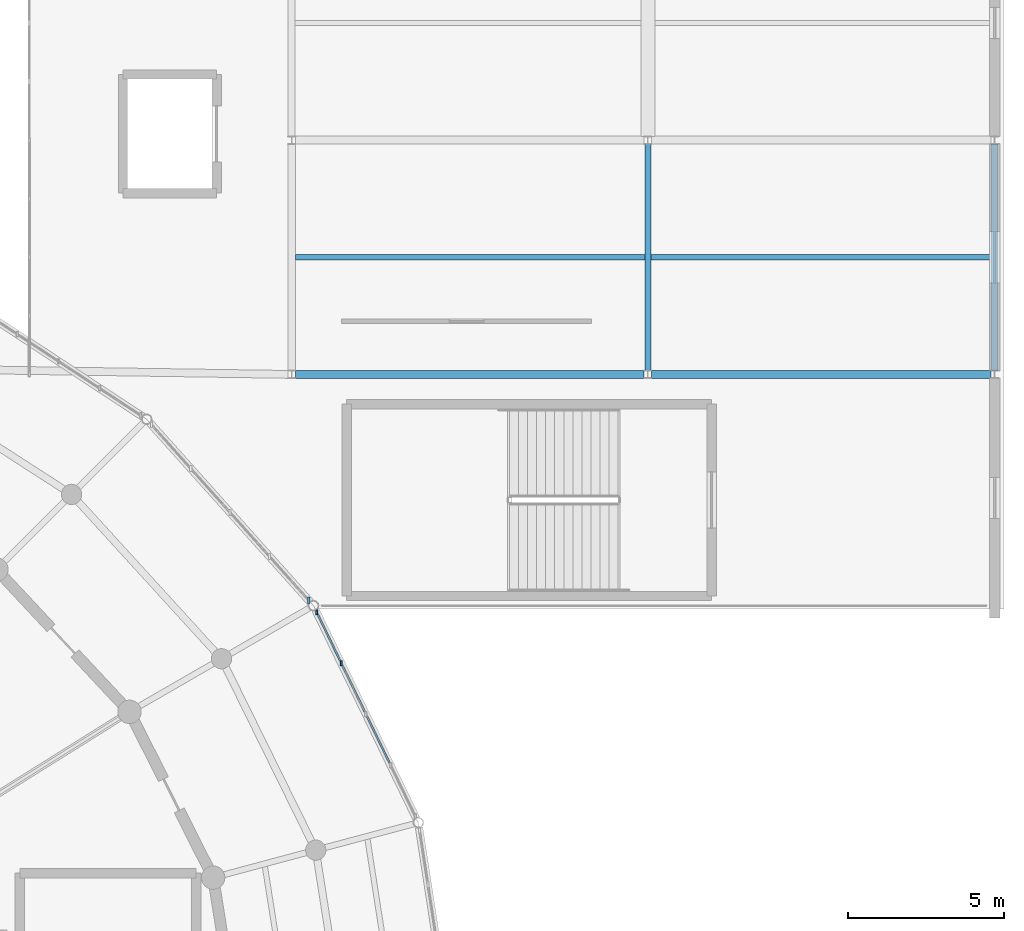
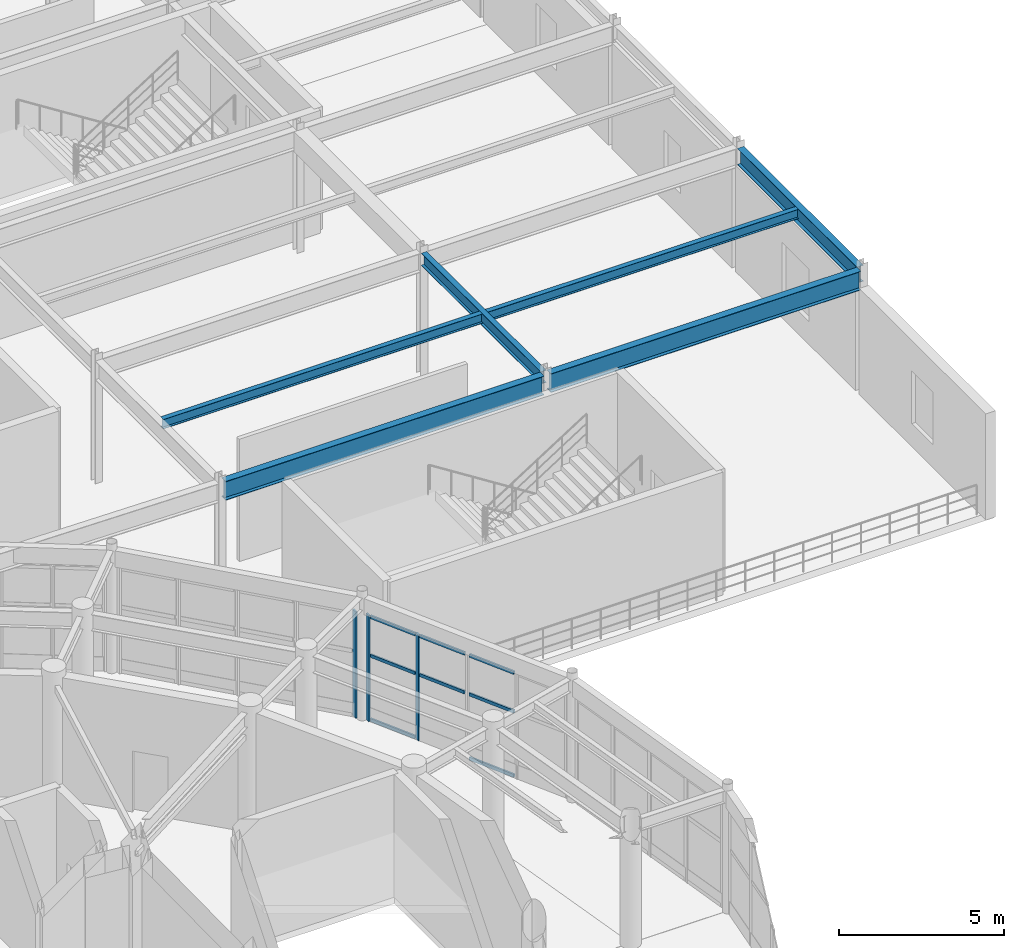
# One storey, part 76 of 144: 11 members, 6 beams, 2 elements without a shape of their own.
"""IFC4 building model written with IfcOpenShell, lengths in metres."""

import ifcopenshell
import ifcopenshell.guid

model = None  # the IFC model being written
_history = None  # IfcOwnerHistory: only IFC2X3 demands one
_inside = {}  # id of a spatial element -> (the spatial element, [elements in it])
_under = {}  # id of a project, library or spatial element -> (it, [spatial elements below it])
_declared = {}  # id of a project -> (the project, [libraries it declares])
_typed = {}  # id of a type object -> (the type object, [elements of that type])
_made_of = {}  # id of a material, layer set ... -> (it, [elements and type objects made of it])


def new_model(schema):
    """Start an empty IFC model of exactly this schema.

    Asked for "IFC4X3", IfcOpenShell would pick the latest addendum, in which some entities
    have other attributes; the version numbers below select the first issue.
    IFC2X3 requires an IfcOwnerHistory on every rooted entity: one is made here for all.
    """
    global model, _history
    if schema == "IFC4X3":
        model = ifcopenshell.file(schema_version=(4, 3, 0, 0))
    else:
        model = ifcopenshell.file(schema=schema)
    _inside.clear()
    _under.clear()
    _declared.clear()
    _typed.clear()
    _made_of.clear()
    _history = None
    if model.schema == "IFC2X3":
        org = make("IfcOrganization", Name="unknown")
        user = make(
            "IfcPersonAndOrganization",
            ThePerson=make("IfcPerson", FamilyName="unknown"),
            TheOrganization=org,
        )
        app = make(
            "IfcApplication",
            ApplicationDeveloper=org,
            Version="unknown",
            ApplicationFullName="unknown",
            ApplicationIdentifier="unknown",
        )
        _history = make(
            "IfcOwnerHistory",
            OwningUser=user,
            OwningApplication=app,
            ChangeAction="ADDED",
            CreationDate=0,
        )
    return model


def make(cls, **values):
    """One entity of the class cls with the attributes given. An attribute that is None is left unset."""
    return model.create_entity(
        cls, **{name: value for name, value in values.items() if value is not None}
    )


def rooted(cls, **values):
    """An entity with a GlobalId (a new one), such as an element, a storey or a relation."""
    return make(cls, GlobalId=ifcopenshell.guid.new(), OwnerHistory=_history, **values)


def si_unit(unit_type, name, prefix=None):
    """IfcSIUnit, for example si_unit("LENGTHUNIT", "METRE", prefix="MILLI")."""
    return make("IfcSIUnit", UnitType=unit_type, Prefix=prefix, Name=name)


def assignment(units):
    """IfcUnitAssignment: the units of a project."""
    return None if units is None else make("IfcUnitAssignment", Units=units)


def point(xyz):
    """IfcCartesianPoint."""
    return None if xyz is None else make("IfcCartesianPoint", Coordinates=xyz)


def direction(xyz):
    """IfcDirection."""
    return None if xyz is None else make("IfcDirection", DirectionRatios=xyz)


def frame(location, z_axis=None, x_axis=None):
    """IfcAxis2Placement3D, a coordinate frame: its origin and axes. An axis left out is left unset."""
    return make(
        "IfcAxis2Placement3D",
        Location=point(location),
        Axis=direction(z_axis),
        RefDirection=direction(x_axis),
    )


def frame_2d(location, x_axis=None):
    """IfcAxis2Placement2D, a coordinate frame in the plane: its origin and x axis."""
    return make(
        "IfcAxis2Placement2D", Location=point(location), RefDirection=direction(x_axis)
    )


def origin():
    """The frame at (0, 0, 0) with its axes left unset."""
    return frame((0.0, 0.0, 0.0))


def origin_2d():
    """The frame at (0, 0) in the plane with its x axis left unset."""
    return frame_2d((0.0, 0.0))


def place(relative_to, where):
    """IfcLocalPlacement: puts the frame where relative to a parent placement (None: the world)."""
    return make(
        "IfcLocalPlacement", PlacementRelTo=relative_to, RelativePlacement=where
    )


def context(
    kind, dimensions, precision=None, world=None, true_north=None, identifier=None
):
    """IfcGeometricRepresentationContext, for example the 3D "Model" context."""
    return make(
        "IfcGeometricRepresentationContext",
        ContextIdentifier=identifier,
        ContextType=kind,
        CoordinateSpaceDimension=dimensions,
        Precision=precision,
        WorldCoordinateSystem=world,
        TrueNorth=true_north,
    )


def subcontext(parent, identifier, kind, view, scale=None):
    """IfcGeometricRepresentationSubContext, for example "Body" below "Model"."""
    return make(
        "IfcGeometricRepresentationSubContext",
        ContextIdentifier=identifier,
        ContextType=kind,
        ParentContext=parent,
        TargetScale=scale,
        TargetView=view,
    )


def project(units=None, contexts=None):
    """IfcProject with its units and contexts."""
    return rooted(
        "IfcProject",
        Name="project",
        RepresentationContexts=contexts,
        UnitsInContext=assignment(units),
    )


def spatial(cls, under=None, at=None, **own):
    """A site, building, storey or space (cls), placed at a placement, below another one or the project."""
    s = rooted(cls, ObjectPlacement=at, **own)
    if under is not None:
        _under.setdefault(under.id(), (under, []))[1].append(s)
    return s


def profile(cls, at=None, kind="AREA", **sizes):
    """A parametric profile (cls). Its sizes go by their IFC names, for example OverallWidth=200.0."""
    return make(cls, ProfileType=kind, Position=at, **sizes)


def rectangle(**sizes):
    """IfcRectangleProfileDef."""
    return profile("IfcRectangleProfileDef", **sizes)


def i_section(**sizes):
    """IfcIShapeProfileDef."""
    return profile("IfcIShapeProfileDef", **sizes)


def extrude(swept, where, along, depth):
    """IfcExtrudedAreaSolid: the profile swept, set in the frame where, extruded along a direction by depth."""
    return make(
        "IfcExtrudedAreaSolid",
        SweptArea=swept,
        Position=where,
        ExtrudedDirection=direction(along),
        Depth=depth,
    )


def shape(context_of_items, identifier, shape_type, items):
    """IfcShapeRepresentation: the items that make up one representation, for example the "Body"."""
    return make(
        "IfcShapeRepresentation",
        ContextOfItems=context_of_items,
        RepresentationIdentifier=identifier,
        RepresentationType=shape_type,
        Items=items,
    )


def material(Name=None, Category=None):
    """IfcMaterial."""
    return make("IfcMaterial", Name=Name, Category=Category)


def material_profile(
    of_material, cross_section, Name=None, Category=None, Priority=None
):
    """IfcMaterialProfile: a cross section and its material."""
    return make(
        "IfcMaterialProfile",
        Name=Name,
        Material=of_material,
        Profile=cross_section,
        Priority=Priority,
        Category=Category,
    )


def profile_set(profiles, Name=None, composite=None):
    """IfcMaterialProfileSet."""
    return make(
        "IfcMaterialProfileSet",
        Name=Name,
        MaterialProfiles=profiles,
        CompositeProfile=composite,
    )


def made_of(thing, what):
    """Note that an element or type object is made of a material, layer set ...; save() writes the relation."""
    if what is not None:
        _made_of.setdefault(what.id(), (what, []))[1].append(thing)
    return thing


def type_object(cls, material=None, **own):
    """A type object (cls), such as IfcWallType, which elements share."""
    return made_of(rooted(cls, **own), material)


def element(
    cls,
    number,
    at=None,
    inside=None,
    cuts=None,
    type_object=None,
    material=None,
    context=None,
    identifier="Body",
    shape_type=None,
    held_by="IfcProductDefinitionShape",
    body=None,
    shapes=None,
    **own,
):
    """One element of the class cls, such as IfcWall. Its Tag is "e" and its number.

    at: its placement. inside: the storey or other place that contains it. cuts: it is an
    opening in that element (IfcRelVoidsElement). A single representation is given by context,
    identifier, shape_type and body (its items); several are given by shapes. held_by: the class
    of the entity that holds the representations. save() writes the other relations.
    """
    e = rooted(cls, Tag="e%d" % number, ObjectPlacement=at, **own)
    if body is not None:
        shapes = [shape(context, identifier, shape_type, body)]
    if shapes is not None:
        e.Representation = make(held_by, Representations=shapes)
    if inside is not None:
        _inside.setdefault(inside.id(), (inside, []))[1].append(e)
    if cuts is not None:
        rooted(
            "IfcRelVoidsElement", RelatingBuildingElement=cuts, RelatedOpeningElement=e
        )
    if type_object is not None:
        _typed.setdefault(type_object.id(), (type_object, []))[1].append(e)
    return made_of(e, material)


def aggregate(whole, parts):
    """IfcRelAggregates: a whole, such as a stair, and the parts it consists of."""
    return rooted("IfcRelAggregates", RelatingObject=whole, RelatedObjects=parts)


def save(model, path):
    """Write the relations noted so far, then the file.

    IfcRelAggregates (storeys below a building ...), IfcRelContainedInSpatialStructure (elements
    in a storey), IfcRelDefinesByType, IfcRelAssociatesMaterial and IfcRelDeclares: one each for
    every whole, place, type object, material and project.
    """
    for whole, parts in _under.values():
        aggregate(whole, parts)
    for where, things in _inside.values():
        rooted(
            "IfcRelContainedInSpatialStructure",
            RelatedElements=things,
            RelatingStructure=where,
        )
    for kind, things in _typed.values():
        rooted("IfcRelDefinesByType", RelatedObjects=things, RelatingType=kind)
    for what, things in _made_of.values():
        rooted("IfcRelAssociatesMaterial", RelatedObjects=things, RelatingMaterial=what)
    for by, libraries in _declared.values():
        rooted("IfcRelDeclares", RelatingContext=by, RelatedDefinitions=libraries)
    model.write(path)


model = new_model("IFC4")

# Units and contexts
model_context = context("Model", 3, precision=1e-05, world=origin(), true_north=direction((0.0, 1.0)))
body_context = subcontext(model_context, "Body", "Model", "MODEL_VIEW")
ifc_project = project(units=[si_unit("LENGTHUNIT", "METRE"), si_unit("AREAUNIT", "SQUARE_METRE"), si_unit("VOLUMEUNIT", "CUBIC_METRE"), si_unit("PLANEANGLEUNIT", "RADIAN"), si_unit("MASSUNIT", "GRAM", prefix="KILO")], contexts=[model_context])

# Site, building, storey
site_placement = place(None, origin())
site = spatial("IfcSite", under=ifc_project, at=site_placement, CompositionType="ELEMENT")
building_placement = place(site_placement, origin())
building = spatial("IfcBuilding", under=site, at=building_placement, Name="Cinderbank Siding Concert Hall", CompositionType="ELEMENT")
storey_placement = place(building_placement, frame((0.0, 0.0, 5.39990234375)))
storey = spatial("IfcBuildingStorey", under=building, at=storey_placement, Name="L02", CompositionType="ELEMENT", Elevation=5.39990234375)

# Beams
ifc_material_1 = material(Name="Structural steel AS/NZS 3679.1 Grade 350 (340 MPa)", Category="steel")
ifc_material_profile_1 = material_profile(ifc_material_1, i_section(OverallWidth=0.18994140625, OverallDepth=0.45751953125, WebThickness=0.009033203125, FlangeThickness=0.014404296875, at=origin_2d()), Name="460UB74.6", Category="LoadBearing")
ifc_profile_set_1 = profile_set([ifc_material_profile_1], Name="Structural steel AS/NZS 3679.1 Grade 350 (340 MPa)")
beam_type_1 = type_object("IfcBeamType", Name="BM-UB460 460UB74.6", PredefinedType="BEAM", material=ifc_profile_set_1)
beam_1_placement = place(storey_placement, frame((161.800048828125, 65.9189453125, 4.323486328125), z_axis=(0.0, 1.0, 0.0), x_axis=(-1.0, 0.0, 0.0)))
element("IfcBeam", 1, at=beam_1_placement, inside=storey, type_object=beam_type_1, Name="L02 Beam BM-UB460 #1626", PredefinedType="BEAM", context=body_context, shape_type="SweptSolid", body=[
    extrude(i_section(OverallWidth=0.18994140625, OverallDepth=0.45751953125, WebThickness=0.009033203125, FlangeThickness=0.014404296875, at=origin_2d()), origin(), (0.0, 0.0, 1.0), 7.261962890625),
])
ifc_material_profile_2 = material_profile(ifc_material_1, i_section(OverallWidth=0.22802734375, OverallDepth=0.602294921875, WebThickness=0.010498046875, FlangeThickness=0.014892578125, at=origin_2d()), Name="610UB101", Category="LoadBearing")
ifc_profile_set_2 = profile_set([ifc_material_profile_2], Name="Structural steel AS/NZS 3679.1 Grade 350 (340 MPa)")
beam_type_2 = type_object("IfcBeamType", Name="BM-UB610 610UB101", PredefinedType="BEAM", material=ifc_profile_set_2)
beam_2_placement = place(storey_placement, frame((172.89990234375, 65.9189453125, 4.2509765625), z_axis=(0.0, 1.0, 0.0), x_axis=(-1.0, 0.0, 0.0)))
element("IfcBeam", 2, at=beam_2_placement, inside=storey, type_object=beam_type_2, Name="L02 Beam BM-UB610 #1631", PredefinedType="BEAM", context=body_context, shape_type="SweptSolid", body=[
    extrude(i_section(OverallWidth=0.22802734375, OverallDepth=0.602294921875, WebThickness=0.010498046875, FlangeThickness=0.014892578125, at=origin_2d()), origin(), (0.0, 0.0, 1.0), 7.261962890625),
])
ifc_material_2 = material(Name="Structural steel welded plate section AS/NZS 3679.2 / AS/NZS 3678 Grade 350 (340 MPa)", Category="steel")
ifc_material_profile_3 = material_profile(ifc_material_2, i_section(OverallWidth=0.25, OverallDepth=0.699951171875, WebThickness=0.010009765625, FlangeThickness=0.01611328125, at=origin_2d()), Name="700WB130", Category="LoadBearing")
ifc_profile_set_3 = profile_set([ifc_material_profile_3], Name="Structural steel welded plate section AS/NZS 3679.2 / AS/NZS 3678 Grade 350 (340 MPa)")
beam_type_3 = type_object("IfcBeamType", Name="BM-WB700 700WB130", PredefinedType="BEAM", material=ifc_profile_set_3)
beam_3_placement = place(storey_placement, frame((150.51904296875, 65.800048828125, 4.2021484375), z_axis=(1.0, 0.0, 0.0), x_axis=(0.0, 1.0, 0.0)))
element("IfcBeam", 3, at=beam_3_placement, inside=storey, type_object=beam_type_3, Name="L02 Beam BM-WB700 #1619", PredefinedType="BEAM", context=body_context, shape_type="SweptSolid", body=[
    extrude(i_section(OverallWidth=0.25, OverallDepth=0.699951171875, WebThickness=0.010009765625, FlangeThickness=0.01611328125, at=origin_2d()), origin(), (0.0, 0.0, 1.0), 11.161865234375),
])
beam_4_placement = place(storey_placement, frame((161.9189453125, 65.800048828125, 4.2021484375), z_axis=(1.0, 0.0, 0.0), x_axis=(0.0, 1.0, 0.0)))
element("IfcBeam", 4, at=beam_4_placement, inside=storey, type_object=beam_type_3, Name="L02 Beam BM-WB700 #1625", PredefinedType="BEAM", context=body_context, shape_type="SweptSolid", body=[
    extrude(i_section(OverallWidth=0.25, OverallDepth=0.699951171875, WebThickness=0.010009765625, FlangeThickness=0.01611328125, at=origin_2d()), origin(), (0.0, 0.0, 1.0), 10.862060546875),
])

# Curtain wall, members
ifc_material_3 = material(Name="Anodised aluminium alloy 6063-T6", Category="aluminium")
curtain_wall_type_1 = type_object("IfcCurtainWallType", Name="CW-02 Unitised Acoustic Curtain Wall 7800x4400", PredefinedType="NOTDEFINED", material=ifc_material_3)
curtain_wall_1_placement = place(storey_placement, origin())
curtain_wall_1 = element("IfcCurtainWall", 5, at=curtain_wall_1_placement, inside=storey, type_object=curtain_wall_type_1, Name="L02 Curtain Wall CW-02 #2", PredefinedType="NOTDEFINED")
ifc_material_profile_4 = material_profile(ifc_material_3, rectangle(XDim=0.06005859375, YDim=0.159912109375, at=origin_2d()), Name="ALU-MULL-60x160", Category="LoadBearing")
ifc_profile_set_4 = profile_set([ifc_material_profile_4], Name="Anodised aluminium alloy 6063-T6")
member_type_1 = type_object("IfcMemberType", Name="CW-ML1 Mullion 60x160", PredefinedType="MULLION", material=ifc_profile_set_4)
member_1_placement = place(storey_placement, frame((151.987060546875, 56.561279296875, 0.0), z_axis=(0.0, 0.0, 1.0), x_axis=(1.0, 0.0, 0.0)))
member_1 = element("IfcMember", 6, at=member_1_placement, type_object=member_type_1, Name="CW-L02-002 Mullion 3", PredefinedType="MULLION", context=body_context, shape_type="SweptSolid", body=[
    extrude(rectangle(XDim=0.06005859375, YDim=0.159912109375, at=origin_2d()), origin(), (0.0, 0.0, 1.0), 3.93701171875),
])
member_2_placement = place(storey_placement, frame((151.197265625, 58.19580078125, 0.0), z_axis=(0.0, 0.0, 1.0), x_axis=(1.0, 0.0, 0.0)))
member_2 = element("IfcMember", 7, at=member_2_placement, type_object=member_type_1, Name="CW-L02-002 Mullion 4", PredefinedType="MULLION", context=body_context, shape_type="SweptSolid", body=[
    extrude(rectangle(XDim=0.06005859375, YDim=0.159912109375, at=origin_2d()), origin(), (0.0, 0.0, 1.0), 3.93701171875),
])

# Curtain wall, member
curtain_wall_type_2 = type_object("IfcCurtainWallType", Name="CW-03 Unitised Acoustic Curtain Wall 7400x4400", PredefinedType="NOTDEFINED", material=ifc_material_3)
curtain_wall_2_placement = place(storey_placement, origin())
curtain_wall_2 = element("IfcCurtainWall", 8, at=curtain_wall_2_placement, inside=storey, type_object=curtain_wall_type_2, Name="L02 Curtain Wall CW-03 #3", PredefinedType="NOTDEFINED")
ifc_material_profile_5 = material_profile(ifc_material_3, rectangle(XDim=0.06494140625, YDim=0.199951171875, at=origin_2d()), Name="ALU-MULL-65x200", Category="LoadBearing")
ifc_profile_set_5 = profile_set([ifc_material_profile_5], Name="Anodised aluminium alloy 6063-T6")
member_type_2 = type_object("IfcMemberType", Name="CW-ML2 Mullion 65x200", PredefinedType="MULLION", material=ifc_profile_set_5)
member_3_placement = place(storey_placement, frame((150.947021484375, 58.569091796875, 0.0), z_axis=(0.0, 0.0, 1.0), x_axis=(1.0, 0.0, 0.0)))
member_3 = element("IfcMember", 9, at=member_3_placement, type_object=member_type_2, Name="CW-L02-003 Mullion 0", PredefinedType="MULLION", context=body_context, shape_type="SweptSolid", body=[
    extrude(rectangle(XDim=0.06494140625, YDim=0.199951171875, at=origin_2d()), origin(), (0.0, 0.0, 1.0), 3.93701171875),
])
aggregate(curtain_wall_2, [member_3])

# Member
ifc_material_profile_6 = material_profile(ifc_material_3, rectangle(XDim=0.06005859375, YDim=0.1201171875, at=origin_2d()), Name="ALU-TRAN-60x120", Category="LoadBearing")
ifc_profile_set_6 = profile_set([ifc_material_profile_6], Name="Anodised aluminium alloy 6063-T6")
member_type_3 = type_object("IfcMemberType", Name="CW-TR1 Transom 60x120", PredefinedType="USERDEFINED", material=ifc_profile_set_6)
member_4_placement = place(storey_placement, frame((153.527099609375, 53.37451171875, 0.06005859375), z_axis=(-0.435095962233, 0.900384086737, 0.0), x_axis=(-0.900384086737, -0.435095962233, 0.0)))
member_4 = element("IfcMember", 10, at=member_4_placement, type_object=member_type_3, Name="CW-L02-002 Transom 1-0", ObjectType="TRANSOM", PredefinedType="USERDEFINED", context=body_context, shape_type="SweptSolid", body=[
    extrude(rectangle(XDim=0.06005859375, YDim=0.1201171875, at=origin_2d()), origin(), (0.0, 0.0, 1.0), 1.63330078125),
])

member_5_placement = place(storey_placement, frame((153.527099609375, 53.37451171875, 2.44091796875), z_axis=(-0.435095962233, 0.900384086737, 0.0), x_axis=(-0.900384086737, -0.435095962233, 0.0)))
member_5 = element("IfcMember", 11, at=member_5_placement, type_object=member_type_3, Name="CW-L02-002 Transom 1-1", ObjectType="TRANSOM", PredefinedType="USERDEFINED", context=body_context, shape_type="SweptSolid", body=[
    extrude(rectangle(XDim=0.06005859375, YDim=0.1201171875, at=origin_2d()), origin(), (0.0, 0.0, 1.0), 1.63330078125),
])

member_6_placement = place(storey_placement, frame((153.527099609375, 53.37451171875, 3.877197265625), z_axis=(-0.435095962233, 0.900384086737, 0.0), x_axis=(-0.900384086737, -0.435095962233, 0.0)))
member_6 = element("IfcMember", 12, at=member_6_placement, type_object=member_type_3, Name="CW-L02-002 Transom 1-2", ObjectType="TRANSOM", PredefinedType="USERDEFINED", context=body_context, shape_type="SweptSolid", body=[
    extrude(rectangle(XDim=0.06005859375, YDim=0.1201171875, at=origin_2d()), origin(), (0.0, 0.0, 1.0), 1.63330078125),
])

member_7_placement = place(storey_placement, frame((152.7373046875, 55.0087890625, 2.44091796875), z_axis=(-0.435095962233, 0.900384086737, 0.0), x_axis=(-0.900384086737, -0.435095962233, 0.0)))
member_7 = element("IfcMember", 13, at=member_7_placement, type_object=member_type_3, Name="CW-L02-002 Transom 2-1", ObjectType="TRANSOM", PredefinedType="USERDEFINED", context=body_context, shape_type="SweptSolid", body=[
    extrude(rectangle(XDim=0.06005859375, YDim=0.1201171875, at=origin_2d()), origin(), (0.0, 0.0, 1.0), 1.63330078125),
])

member_8_placement = place(storey_placement, frame((152.7373046875, 55.0087890625, 3.877197265625), z_axis=(-0.435095962233, 0.900384086737, 0.0), x_axis=(-0.900384086737, -0.435095962233, 0.0)))
member_8 = element("IfcMember", 14, at=member_8_placement, type_object=member_type_3, Name="CW-L02-002 Transom 2-2", ObjectType="TRANSOM", PredefinedType="USERDEFINED", context=body_context, shape_type="SweptSolid", body=[
    extrude(rectangle(XDim=0.06005859375, YDim=0.1201171875, at=origin_2d()), origin(), (0.0, 0.0, 1.0), 1.63330078125),
])

member_9_placement = place(storey_placement, frame((151.947509765625, 56.64306640625, 0.06005859375), z_axis=(-0.435037415308, 0.900412376238, 0.0), x_axis=(-0.900412376238, -0.435037415308, 0.0)))
member_9 = element("IfcMember", 15, at=member_9_placement, type_object=member_type_3, Name="CW-L02-002 Transom 3-0", ObjectType="TRANSOM", PredefinedType="USERDEFINED", context=body_context, shape_type="SweptSolid", body=[
    extrude(rectangle(XDim=0.06005859375, YDim=0.1201171875, at=origin_2d()), origin(), (0.0, 0.0, 1.0), 1.633544921875),
])

member_10_placement = place(storey_placement, frame((151.947509765625, 56.64306640625, 2.44091796875), z_axis=(-0.435037415308, 0.900412376238, 0.0), x_axis=(-0.900412376238, -0.435037415308, 0.0)))
member_10 = element("IfcMember", 16, at=member_10_placement, type_object=member_type_3, Name="CW-L02-002 Transom 3-1", ObjectType="TRANSOM", PredefinedType="USERDEFINED", context=body_context, shape_type="SweptSolid", body=[
    extrude(rectangle(XDim=0.06005859375, YDim=0.1201171875, at=origin_2d()), origin(), (0.0, 0.0, 1.0), 1.633544921875),
])

member_11_placement = place(storey_placement, frame((151.947509765625, 56.64306640625, 3.877197265625), z_axis=(-0.435037415308, 0.900412376238, 0.0), x_axis=(-0.900412376238, -0.435037415308, 0.0)))
member_11 = element("IfcMember", 17, at=member_11_placement, type_object=member_type_3, Name="CW-L02-002 Transom 3-2", ObjectType="TRANSOM", PredefinedType="USERDEFINED", context=body_context, shape_type="SweptSolid", body=[
    extrude(rectangle(XDim=0.06005859375, YDim=0.1201171875, at=origin_2d()), origin(), (0.0, 0.0, 1.0), 1.633544921875),
])

aggregate(curtain_wall_1, [member_1, member_2, member_4, member_5, member_6, member_7, member_8, member_9, member_10, member_11])

# Beams
ifc_material_profile_7 = material_profile(ifc_material_1, i_section(OverallWidth=0.1708984375, OverallDepth=0.35205078125, WebThickness=0.0068359375, FlangeThickness=0.009765625, at=origin_2d()), Name="360UB44.7", Category="LoadBearing")
ifc_profile_set_7 = profile_set([ifc_material_profile_7], Name="Structural steel AS/NZS 3679.1 Grade 350 (340 MPa)")
beam_type_4 = type_object("IfcBeamType", Name="JS-UB360 360UB44.7", PredefinedType="JOIST", material=ifc_profile_set_7)
beam_5_placement = place(storey_placement, frame((150.51708984375, 69.550048828125, 4.3759765625), z_axis=(1.0, 0.0, 0.0), x_axis=(0.0, 1.0, 0.0)))
element("IfcBeam", 18, at=beam_5_placement, inside=storey, type_object=beam_type_4, Name="L02 Beam JS-UB360 #1690", PredefinedType="JOIST", context=body_context, shape_type="SweptSolid", body=[
    extrude(i_section(OverallWidth=0.1708984375, OverallDepth=0.35205078125, WebThickness=0.0068359375, FlangeThickness=0.009765625, at=origin_2d()), origin(), (0.0, 0.0, 1.0), 11.19580078125),
])
beam_6_placement = place(storey_placement, frame((161.886962890625, 69.550048828125, 4.3759765625), z_axis=(1.0, 0.0, 0.0), x_axis=(0.0, 1.0, 0.0)))
element("IfcBeam", 19, at=beam_6_placement, inside=storey, type_object=beam_type_4, Name="L02 Beam JS-UB360 #1692", PredefinedType="JOIST", context=body_context, shape_type="SweptSolid", body=[
    extrude(i_section(OverallWidth=0.1708984375, OverallDepth=0.35205078125, WebThickness=0.0068359375, FlangeThickness=0.009765625, at=origin_2d()), origin(), (0.0, 0.0, 1.0), 10.906982421875),
])

save(model, "model.ifc")
